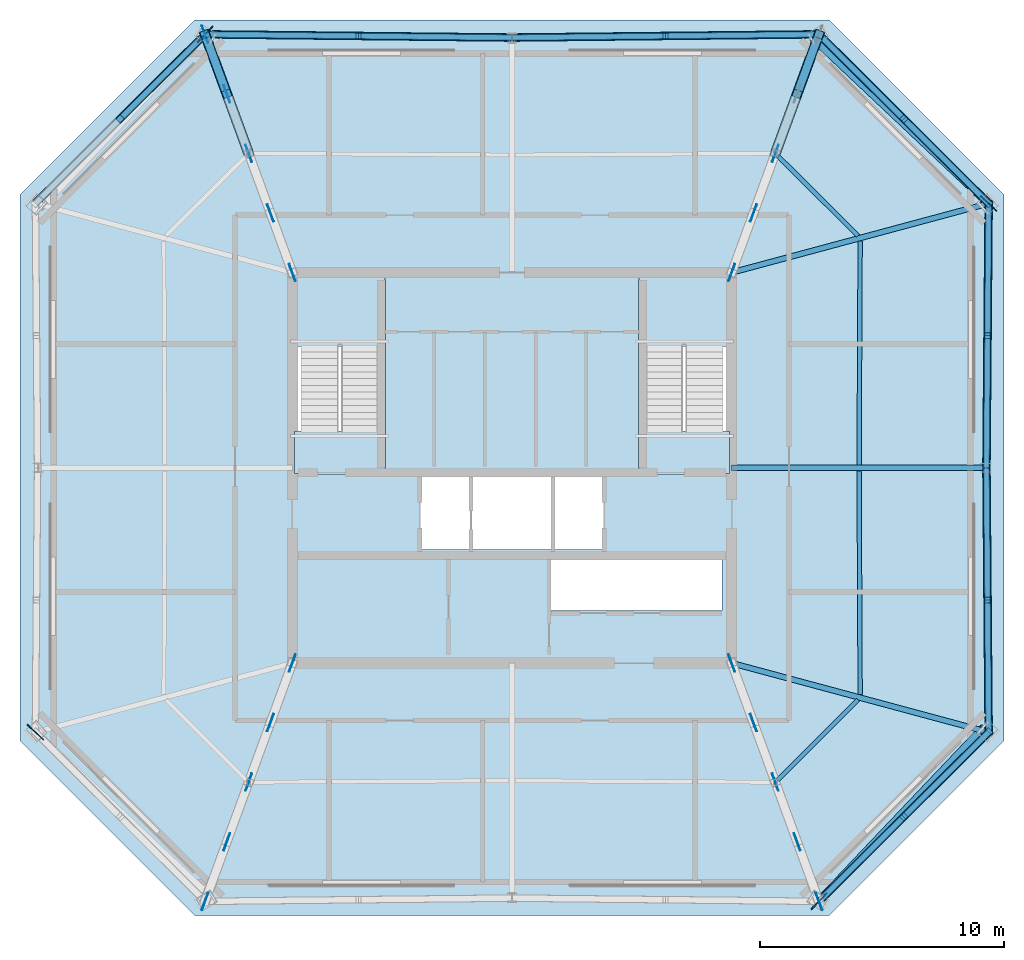
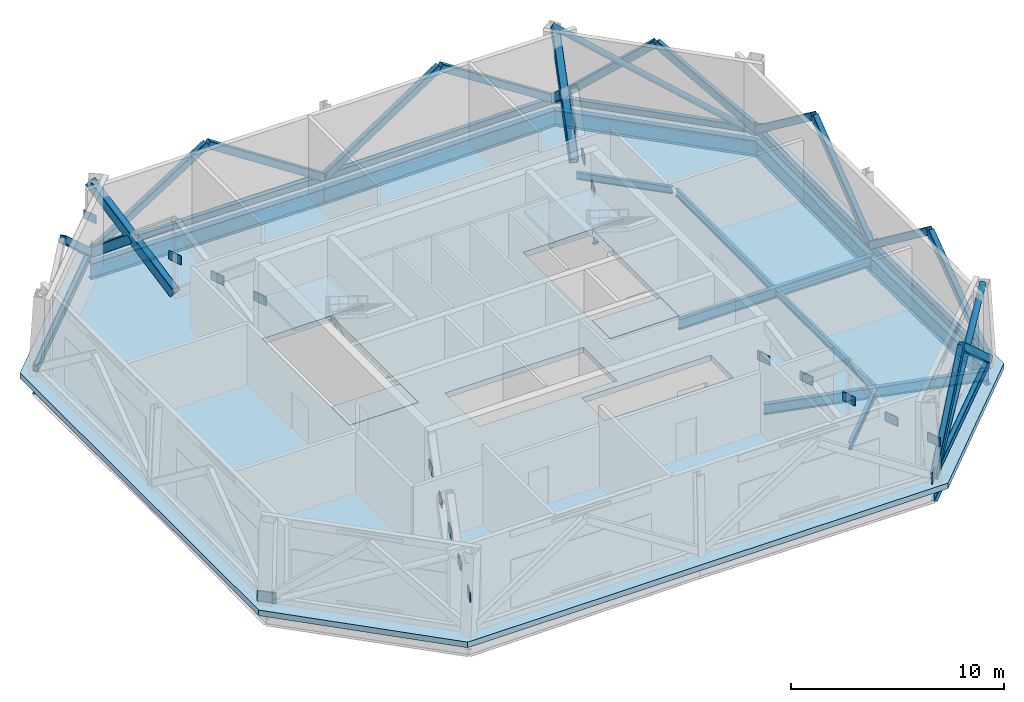
# One storey, part 6 of 10: 26 members, 22 plates, 14 beams, 5 slabs, 2 elements without a shape of their own.
"""IFC4 building model written with IfcOpenShell, lengths in metres."""

from ifc_helpers import new_model, si_unit, direction, frame, origin, origin_2d, place, context, subcontext, project, spatial, polyline, rectangle, hollow_rectangle, hollow_circle, i_section, outline, extrude, material, layer, layer_set, material_profile, profile_set, type_object, element, aggregate, save


model = new_model("IFC4")

# Units and contexts
model_context = context("Model", 3, precision=1e-05, world=origin(), true_north=direction((0.0, 1.0)))
body_context = subcontext(model_context, "Body", "Model", "MODEL_VIEW")
ifc_project = project(units=[si_unit("LENGTHUNIT", "METRE"), si_unit("AREAUNIT", "SQUARE_METRE"), si_unit("VOLUMEUNIT", "CUBIC_METRE"), si_unit("PLANEANGLEUNIT", "RADIAN"), si_unit("MASSUNIT", "GRAM", prefix="KILO")], contexts=[model_context])

# Site, building, storey
site_placement = place(None, origin())
site = spatial("IfcSite", under=ifc_project, at=site_placement, CompositionType="ELEMENT")
building_placement = place(site_placement, origin())
building = spatial("IfcBuilding", under=site, at=building_placement, Name="Caelvoria Tower", CompositionType="ELEMENT")
storey_placement = place(building_placement, frame((0.0, 0.0, 234.60009765625)))
storey = spatial("IfcBuildingStorey", under=building, at=storey_placement, Name="L62", CompositionType="ELEMENT", Elevation=234.60009765625)

# Members
ifc_material_1 = material(Name="Structural Steel ASTM A572 Gr.50", Category="steel")
ifc_material_profile_1 = material_profile(ifc_material_1, hollow_rectangle(XDim=0.25, YDim=0.35009765625, WallThickness=0.013916015625, InnerFilletRadius=0.013916015625, OuterFilletRadius=0.028076171875, at=origin_2d()), Name="Structural Steel ASTM A572 Gr.50")
ifc_profile_set_1 = profile_set([ifc_material_profile_1], Name="HSS350X250X14 - Structural Steel ASTM A572 Gr.50")
member_type_1 = type_object("IfcMemberType", Name="Belt Truss Chord Member HSS350X250X14", PredefinedType="CHORD", material=ifc_profile_set_1)
member_1_placement = place(storey_placement, frame((58.57470703125, 14.2421875, 0.25), z_axis=(0.708374685159, 0.705836599664, 0.0), x_axis=(-0.705836599664, 0.708374685159, 0.0)))
element("IfcMember", 1, at=member_1_placement, inside=storey, type_object=member_type_1, Name="Belt Truss Bottom Chord L62-02", PredefinedType="CHORD", context=body_context, shape_type="SweptSolid", body=[
    extrude(hollow_rectangle(XDim=0.25, YDim=0.35009765625, WallThickness=0.013916015625, InnerFilletRadius=0.013916015625, OuterFilletRadius=0.028076171875, at=origin_2d()), origin(), (0.0, 0.0, 1.0), 9.8115234375),
])
for number, where, z_axis, x_axis, name in (
    (2, (65.52490234375, 21.16748046875, 0.25), (-0.008338677847, 0.999965232621, 0.0), (-0.999965232621, -0.008338677847, 0.0), "Belt Truss Bottom Chord L62-03"),
    (3, (65.4345703125, 32.0, 0.25), (0.008338677847, 0.999965232621, 0.0), (-0.999965232621, 0.008338677847, 0.0), "Belt Truss Bottom Chord L62-04"),
):
    element("IfcMember", number, at=place(storey_placement, frame(where, z_axis=z_axis, x_axis=x_axis)), inside=storey, type_object=member_type_1, Name=name, PredefinedType="CHORD", context=body_context, shape_type="SweptSolid", body=[
        extrude(hollow_rectangle(XDim=0.25, YDim=0.35009765625, WallThickness=0.013916015625, InnerFilletRadius=0.013916015625, OuterFilletRadius=0.028076171875, at=origin_2d()), origin(), (0.0, 0.0, 1.0), 10.8330078125),
    ])
member_2_placement = place(storey_placement, frame((65.52490234375, 42.83251953125, 0.25), z_axis=(-0.708374685159, 0.705836599664, 0.0), x_axis=(-0.705836599664, -0.708374685159, 0.0)))
element("IfcMember", 4, at=member_2_placement, inside=storey, type_object=member_type_1, Name="Belt Truss Bottom Chord L62-05", PredefinedType="CHORD", context=body_context, shape_type="SweptSolid", body=[
    extrude(hollow_rectangle(XDim=0.25, YDim=0.35009765625, WallThickness=0.013916015625, InnerFilletRadius=0.013916015625, OuterFilletRadius=0.028076171875, at=origin_2d()), origin(), (0.0, 0.0, 1.0), 9.8115234375),
])
for number, where, z_axis, x_axis, name in (
    (5, (58.57470703125, 49.7578125, 0.25), (-0.999944637351, -0.010522463275, 0.0), (0.010522463275, -0.999944637351, 0.0), "Belt Truss Bottom Chord L62-06"),
    (6, (46.0, 49.62548828125, 0.25), (-0.999944637351, 0.010522463275, 0.0), (-0.010522463275, -0.999944637351, 0.0), "Belt Truss Bottom Chord L62-07"),
):
    element("IfcMember", number, at=place(storey_placement, frame(where, z_axis=z_axis, x_axis=x_axis)), inside=storey, type_object=member_type_1, Name=name, PredefinedType="CHORD", context=body_context, shape_type="SweptSolid", body=[
        extrude(hollow_rectangle(XDim=0.25, YDim=0.35009765625, WallThickness=0.013916015625, InnerFilletRadius=0.013916015625, OuterFilletRadius=0.028076171875, at=origin_2d()), origin(), (0.0, 0.0, 1.0), 12.575439453125),
    ])
member_3_placement = place(storey_placement, frame((33.42529296875, 49.7578125, 0.25), z_axis=(-0.708374685159, -0.705836599664, 0.0), x_axis=(0.705836599664, -0.708374685159, 0.0)))
element("IfcMember", 7, at=member_3_placement, inside=storey, type_object=member_type_1, Name="Belt Truss Bottom Chord L62-08", PredefinedType="CHORD", context=body_context, shape_type="SweptSolid", body=[
    extrude(hollow_rectangle(XDim=0.25, YDim=0.35009765625, WallThickness=0.013916015625, InnerFilletRadius=0.013916015625, OuterFilletRadius=0.028076171875, at=origin_2d()), origin(), (0.0, 0.0, 1.0), 9.8115234375),
])
ifc_material_profile_2 = material_profile(ifc_material_1, hollow_rectangle(XDim=0.300048828125, YDim=0.39990234375, WallThickness=0.01611328125, InnerFilletRadius=0.01611328125, OuterFilletRadius=0.031982421875, at=origin_2d()), Name="Structural Steel ASTM A572 Gr.50")
ifc_profile_set_2 = profile_set([ifc_material_profile_2], Name="HSS400X300X16 - Structural Steel ASTM A572 Gr.50")
member_type_2 = type_object("IfcMemberType", Name="Belt Truss Diagonal HSS400X300X16", PredefinedType="BRACE", material=ifc_profile_set_2)
for number, where, z_axis, x_axis, name in (
    (8, (58.57470703125, 14.2421875, 0.25), (0.544906737548, 0.542954352862, 0.638965740931), (-0.705836599664, 0.708374685159, 0.0), "Belt Truss Diagonal L62-02A"),
    (9, (62.0498046875, 17.704833984375, 4.324951171875), (0.544906737548, 0.542954352862, -0.638965740931), (-0.705836599664, 0.708374685159, 0.0), "Belt Truss Diagonal L62-02B"),
):
    element("IfcMember", number, at=place(storey_placement, frame(where, z_axis=z_axis, x_axis=x_axis)), inside=storey, type_object=member_type_2, Name=name, PredefinedType="BRACE", context=body_context, shape_type="SweptSolid", body=[
        extrude(hollow_rectangle(XDim=0.300048828125, YDim=0.39990234375, WallThickness=0.01611328125, InnerFilletRadius=0.01611328125, OuterFilletRadius=0.031982421875, at=origin_2d()), origin(), (0.0, 0.0, 1.0), 6.37744140625),
    ])
for number, where, z_axis, x_axis, name in (
    (10, (65.52490234375, 21.16748046875, 0.25), (-0.006663485519, 0.799077979726, 0.601190469218), (-0.999965232621, -0.008338677847, 0.0), "Belt Truss Diagonal L62-03A"),
    (11, (65.479736328125, 26.583740234375, 4.324951171875), (-0.006663485519, 0.799077979726, -0.601190469218), (-0.999965232621, -0.008338677847, 0.0), "Belt Truss Diagonal L62-03B"),
    (12, (65.4345703125, 32.0, 0.25), (0.006663485519, 0.799077979726, 0.601190469218), (-0.999965232621, 0.008338677847, 0.0), "Belt Truss Diagonal L62-04A"),
    (13, (65.479736328125, 37.416259765625, 4.324951171875), (0.006663485519, 0.799077979726, -0.601190469218), (-0.999965232621, 0.008338677847, 0.0), "Belt Truss Diagonal L62-04B"),
):
    element("IfcMember", number, at=place(storey_placement, frame(where, z_axis=z_axis, x_axis=x_axis)), inside=storey, type_object=member_type_2, Name=name, PredefinedType="BRACE", context=body_context, shape_type="SweptSolid", body=[
        extrude(hollow_rectangle(XDim=0.300048828125, YDim=0.39990234375, WallThickness=0.01611328125, InnerFilletRadius=0.01611328125, OuterFilletRadius=0.031982421875, at=origin_2d()), origin(), (0.0, 0.0, 1.0), 6.778076171875),
    ])
for number, where, z_axis, x_axis, name in (
    (14, (65.52490234375, 42.83251953125, 0.25), (-0.544906737548, 0.542954352862, 0.638965740931), (-0.705836599664, -0.708374685159, 0.0), "Belt Truss Diagonal L62-05A"),
    (15, (62.0498046875, 46.295166015625, 4.324951171875), (-0.544906737548, 0.542954352862, -0.638965740931), (-0.705836599664, -0.708374685159, 0.0), "Belt Truss Diagonal L62-05B"),
):
    element("IfcMember", number, at=place(storey_placement, frame(where, z_axis=z_axis, x_axis=x_axis)), inside=storey, type_object=member_type_2, Name=name, PredefinedType="BRACE", context=body_context, shape_type="SweptSolid", body=[
        extrude(hollow_rectangle(XDim=0.300048828125, YDim=0.39990234375, WallThickness=0.01611328125, InnerFilletRadius=0.01611328125, OuterFilletRadius=0.031982421875, at=origin_2d()), origin(), (0.0, 0.0, 1.0), 6.37744140625),
    ])
for number, where, z_axis, x_axis, name in (
    (16, (58.57470703125, 49.7578125, 0.25), (-0.83913156162, -0.008830219904, 0.543856828136), (0.010522463275, -0.999944637351, 0.0), "Belt Truss Diagonal L62-06A"),
    (17, (52.287353515625, 49.691650390625, 4.324951171875), (-0.83913156162, -0.008830219904, -0.543856828136), (0.010522463275, -0.999944637351, 0.0), "Belt Truss Diagonal L62-06B"),
    (18, (46.0, 49.62548828125, 0.25), (-0.83913156162, 0.008830219904, 0.543856828136), (-0.010522463275, -0.999944637351, 0.0), "Belt Truss Diagonal L62-07A"),
    (19, (39.712646484375, 49.691650390625, 4.324951171875), (-0.83913156162, 0.008830219904, -0.543856828136), (-0.010522463275, -0.999944637351, 0.0), "Belt Truss Diagonal L62-07B"),
):
    element("IfcMember", number, at=place(storey_placement, frame(where, z_axis=z_axis, x_axis=x_axis)), inside=storey, type_object=member_type_2, Name=name, PredefinedType="BRACE", context=body_context, shape_type="SweptSolid", body=[
        extrude(hollow_rectangle(XDim=0.300048828125, YDim=0.39990234375, WallThickness=0.01611328125, InnerFilletRadius=0.01611328125, OuterFilletRadius=0.031982421875, at=origin_2d()), origin(), (0.0, 0.0, 1.0), 7.49267578125),
    ])
member_4_placement = place(storey_placement, frame((33.42529296875, 49.7578125, 0.25), z_axis=(-0.544906737548, -0.542954352862, 0.638965740931), x_axis=(0.705836599664, -0.708374685159, 0.0)))
element("IfcMember", 20, at=member_4_placement, inside=storey, type_object=member_type_2, Name="Belt Truss Diagonal L62-08A", PredefinedType="BRACE", context=body_context, shape_type="SweptSolid", body=[
    extrude(hollow_rectangle(XDim=0.300048828125, YDim=0.39990234375, WallThickness=0.01611328125, InnerFilletRadius=0.01611328125, OuterFilletRadius=0.031982421875, at=origin_2d()), origin(), (0.0, 0.0, 1.0), 6.37744140625),
])
ifc_material_profile_3 = material_profile(ifc_material_1, hollow_rectangle(XDim=0.39990234375, YDim=0.5, WallThickness=0.02197265625, InnerFilletRadius=0.02197265625, OuterFilletRadius=0.0439453125, at=origin_2d()), Name="Structural Steel ASTM A572 Gr.50")
ifc_profile_set_3 = profile_set([ifc_material_profile_3], Name="HSS500X400X22 - Structural Steel ASTM A572 Gr.50")
member_type_3 = type_object("IfcMemberType", Name="Outrigger Diagonal HSS500X400X22", PredefinedType="BRACE", material=ifc_profile_set_3)
member_5_placement = place(storey_placement, frame((56.787353515625, 44.87890625, 0.25), z_axis=(0.270675754431, 0.738858663645, 0.617108184292), x_axis=(-0.93897448414, 0.343986799359, 0.0)))
element("IfcMember", 21, at=member_5_placement, inside=storey, type_object=member_type_3, Name="Outrigger Truss Diagonal L62-NE-2A", PredefinedType="BRACE", context=body_context, shape_type="SweptSolid", body=[
    extrude(hollow_rectangle(XDim=0.39990234375, YDim=0.5, WallThickness=0.02197265625, InnerFilletRadius=0.02197265625, OuterFilletRadius=0.0439453125, at=origin_2d()), origin(), (0.0, 0.0, 1.0), 6.603271484375),
])
member_6_placement = place(storey_placement, frame((57.68115234375, 47.318359375, 2.287353515625), z_axis=(0.270647665326, 0.738882915831, -0.617091466434), x_axis=(-0.938989659808, 0.343945371787, 0.0)))
element("IfcMember", 22, at=member_6_placement, inside=storey, type_object=member_type_3, Name="Outrigger Truss Diagonal L62-NE-2B2", PredefinedType="BRACE", context=body_context, shape_type="SweptSolid", body=[
    extrude(hollow_rectangle(XDim=0.39990234375, YDim=0.5, WallThickness=0.02197265625, InnerFilletRadius=0.02197265625, OuterFilletRadius=0.0439453125, at=origin_2d()), origin(), (0.0, 0.0, 1.0), 3.301513671875),
])
member_7_placement = place(storey_placement, frame((35.212646484375, 44.87890625, 0.25), z_axis=(-0.270675754431, 0.738858663645, 0.617108184292), x_axis=(-0.93897448414, -0.343986799359, 0.0)))
element("IfcMember", 23, at=member_7_placement, inside=storey, type_object=member_type_3, Name="Outrigger Truss Diagonal L62-NW-2A", PredefinedType="BRACE", context=body_context, shape_type="SweptSolid", body=[
    extrude(hollow_rectangle(XDim=0.39990234375, YDim=0.5, WallThickness=0.02197265625, InnerFilletRadius=0.02197265625, OuterFilletRadius=0.0439453125, at=origin_2d()), origin(), (0.0, 0.0, 1.0), 6.603271484375),
])
member_8_placement = place(storey_placement, frame((34.31884765625, 47.318359375, 2.287353515625), z_axis=(-0.270647665326, 0.738882915831, -0.617091466434), x_axis=(-0.938989659808, -0.343945371787, 0.0)))
element("IfcMember", 24, at=member_8_placement, inside=storey, type_object=member_type_3, Name="Outrigger Truss Diagonal L62-NW-2B2", PredefinedType="BRACE", context=body_context, shape_type="SweptSolid", body=[
    extrude(hollow_rectangle(XDim=0.39990234375, YDim=0.5, WallThickness=0.02197265625, InnerFilletRadius=0.02197265625, OuterFilletRadius=0.0439453125, at=origin_2d()), origin(), (0.0, 0.0, 1.0), 3.301513671875),
])

# Beams
ifc_material_2 = material(Name="Structural Steel ASTM A992 Gr.50", Category="steel")
ifc_material_profile_4 = material_profile(ifc_material_2, i_section(OverallWidth=0.30810546875, OverallDepth=0.927001953125, WebThickness=0.019287109375, FlangeThickness=0.031982421875, FilletRadius=0.02392578125, at=origin_2d()), Name="Structural Steel ASTM A992 Gr.50")
ifc_profile_set_4 = profile_set([ifc_material_profile_4], Name="W920X289 - Structural Steel ASTM A992 Gr.50")
beam_type_1 = type_object("IfcBeamType", Name="Outrigger Tie Girder W920X289", PredefinedType="BEAM", material=ifc_profile_set_4)
beam_1_placement = place(storey_placement, frame((58.57470703125, 14.2421875, -0.78369140625), z_axis=(0.708374685159, 0.705836599664, 0.0), x_axis=(-0.705836599664, 0.708374685159, 0.0)))
element("IfcBeam", 25, at=beam_1_placement, inside=storey, type_object=beam_type_1, Name="Perimeter Spandrel Girder L62-02", PredefinedType="BEAM", context=body_context, shape_type="SweptSolid", body=[
    extrude(i_section(OverallWidth=0.30810546875, OverallDepth=0.927001953125, WebThickness=0.019287109375, FlangeThickness=0.031982421875, FilletRadius=0.02392578125, at=origin_2d()), origin(), (0.0, 0.0, 1.0), 9.8115234375),
])
for number, where, z_axis, x_axis, name in (
    (26, (65.52490234375, 21.16748046875, -0.78369140625), (-0.008338677847, 0.999965232621, 0.0), (-0.999965232621, -0.008338677847, 0.0), "Perimeter Spandrel Girder L62-03"),
    (27, (65.4345703125, 32.0, -0.78369140625), (0.008338677847, 0.999965232621, 0.0), (-0.999965232621, 0.008338677847, 0.0), "Perimeter Spandrel Girder L62-04"),
):
    element("IfcBeam", number, at=place(storey_placement, frame(where, z_axis=z_axis, x_axis=x_axis)), inside=storey, type_object=beam_type_1, Name=name, PredefinedType="BEAM", context=body_context, shape_type="SweptSolid", body=[
        extrude(i_section(OverallWidth=0.30810546875, OverallDepth=0.927001953125, WebThickness=0.019287109375, FlangeThickness=0.031982421875, FilletRadius=0.02392578125, at=origin_2d()), origin(), (0.0, 0.0, 1.0), 10.8330078125),
    ])
beam_2_placement = place(storey_placement, frame((65.52490234375, 42.83251953125, -0.78369140625), z_axis=(-0.708374685159, 0.705836599664, 0.0), x_axis=(-0.705836599664, -0.708374685159, 0.0)))
element("IfcBeam", 28, at=beam_2_placement, inside=storey, type_object=beam_type_1, Name="Perimeter Spandrel Girder L62-05", PredefinedType="BEAM", context=body_context, shape_type="SweptSolid", body=[
    extrude(i_section(OverallWidth=0.30810546875, OverallDepth=0.927001953125, WebThickness=0.019287109375, FlangeThickness=0.031982421875, FilletRadius=0.02392578125, at=origin_2d()), origin(), (0.0, 0.0, 1.0), 9.8115234375),
])
for number, where, z_axis, x_axis, name in (
    (29, (58.57470703125, 49.7578125, -0.78369140625), (-0.999944637351, -0.010522463275, 0.0), (0.010522463275, -0.999944637351, 0.0), "Perimeter Spandrel Girder L62-06"),
    (30, (46.0, 49.62548828125, -0.78369140625), (-0.999944637351, 0.010522463275, 0.0), (-0.010522463275, -0.999944637351, 0.0), "Perimeter Spandrel Girder L62-07"),
):
    element("IfcBeam", number, at=place(storey_placement, frame(where, z_axis=z_axis, x_axis=x_axis)), inside=storey, type_object=beam_type_1, Name=name, PredefinedType="BEAM", context=body_context, shape_type="SweptSolid", body=[
        extrude(i_section(OverallWidth=0.30810546875, OverallDepth=0.927001953125, WebThickness=0.019287109375, FlangeThickness=0.031982421875, FilletRadius=0.02392578125, at=origin_2d()), origin(), (0.0, 0.0, 1.0), 12.575439453125),
    ])
beam_3_placement = place(storey_placement, frame((33.42529296875, 49.7578125, -0.78369140625), z_axis=(-0.708374685159, -0.705836599664, 0.0), x_axis=(0.705836599664, -0.708374685159, 0.0)))
element("IfcBeam", 31, at=beam_3_placement, inside=storey, type_object=beam_type_1, Name="Perimeter Spandrel Girder L62-08", PredefinedType="BEAM", context=body_context, shape_type="SweptSolid", body=[
    extrude(i_section(OverallWidth=0.30810546875, OverallDepth=0.927001953125, WebThickness=0.019287109375, FlangeThickness=0.031982421875, FilletRadius=0.02392578125, at=origin_2d()), origin(), (0.0, 0.0, 1.0), 9.8115234375),
])
ifc_material_profile_5 = material_profile(ifc_material_2, i_section(OverallWidth=0.22802734375, OverallDepth=0.60302734375, WebThickness=0.010498046875, FlangeThickness=0.014892578125, FilletRadius=0.01806640625, at=origin_2d()), Name="Structural Steel ASTM A992 Gr.50")
ifc_profile_set_5 = profile_set([ifc_material_profile_5], Name="W610X101 - Structural Steel ASTM A992 Gr.50")
beam_type_2 = type_object("IfcBeamType", Name="Primary Floor Girder W610X101", PredefinedType="BEAM", material=ifc_profile_set_5)
beam_4_placement = place(storey_placement, frame((55.0, 24.0, -0.62158203125), z_axis=(0.965641273819, -0.259878683805, 0.0), x_axis=(0.259878683805, 0.965641273819, 0.0)))
element("IfcBeam", 32, at=beam_4_placement, inside=storey, type_object=beam_type_2, Name="Primary Floor Girder L62-03", PredefinedType="BEAM", context=body_context, shape_type="SweptSolid", body=[
    extrude(i_section(OverallWidth=0.22802734375, OverallDepth=0.60302734375, WebThickness=0.010498046875, FlangeThickness=0.014892578125, FilletRadius=0.01806640625, at=origin_2d()), origin(), (0.0, 0.0, 1.0), 10.8994140625),
])
beam_5_placement = place(storey_placement, frame((55.0, 32.0, -0.62158203125), z_axis=(1.0, 0.0, 0.0), x_axis=(0.0, 1.0, 0.0)))
element("IfcBeam", 33, at=beam_5_placement, inside=storey, type_object=beam_type_2, Name="Primary Floor Girder L62-04", PredefinedType="BEAM", context=body_context, shape_type="SweptSolid", body=[
    extrude(i_section(OverallWidth=0.22802734375, OverallDepth=0.60302734375, WebThickness=0.010498046875, FlangeThickness=0.014892578125, FilletRadius=0.01806640625, at=origin_2d()), origin(), (0.0, 0.0, 1.0), 10.4345703125),
])
beam_6_placement = place(storey_placement, frame((55.0, 40.0, -0.62158203125), z_axis=(0.965641273819, 0.259878683805, 0.0), x_axis=(-0.259878683805, 0.965641273819, 0.0)))
element("IfcBeam", 34, at=beam_6_placement, inside=storey, type_object=beam_type_2, Name="Primary Floor Girder L62-05", PredefinedType="BEAM", context=body_context, shape_type="SweptSolid", body=[
    extrude(i_section(OverallWidth=0.22802734375, OverallDepth=0.60302734375, WebThickness=0.010498046875, FlangeThickness=0.014892578125, FilletRadius=0.01806640625, at=origin_2d()), origin(), (0.0, 0.0, 1.0), 10.8994140625),
])
ifc_material_profile_6 = material_profile(ifc_material_2, i_section(OverallWidth=0.177978515625, OverallDepth=0.406982421875, WebThickness=0.0078125, FlangeThickness=0.0126953125, FilletRadius=0.013916015625, at=origin_2d()), Name="Structural Steel ASTM A992 Gr.50")
ifc_profile_set_6 = profile_set([ifc_material_profile_6], Name="W410X60 - Structural Steel ASTM A992 Gr.50")
beam_type_3 = type_object("IfcBeamType", Name="Secondary Floor Beam W410X60", PredefinedType="BEAM", material=ifc_profile_set_6)
beam_7_placement = place(storey_placement, frame((56.8759765625, 19.209228515625, -0.523681640625), z_axis=(0.708364136335, 0.705847186262, 0.0), x_axis=(-0.705847186262, 0.708364136335, 0.0)))
element("IfcBeam", 35, at=beam_7_placement, inside=storey, type_object=beam_type_3, Name="Secondary Floor Beam L62-02", PredefinedType="BEAM", context=body_context, shape_type="SweptSolid", body=[
    extrude(i_section(OverallWidth=0.177978515625, OverallDepth=0.406982421875, WebThickness=0.0078125, FlangeThickness=0.0126953125, FilletRadius=0.013916015625, at=origin_2d()), origin(), (0.0, 0.0, 1.0), 4.656005859375),
])
for number, where, z_axis, x_axis, name in (
    (36, (60.261962890625, 22.708740234375, -0.523681640625), (-0.004820825589, 0.999988379753, 0.0), (-0.999988379753, -0.004820825589, 0.0), "Secondary Floor Beam L62-03"),
    (37, (60.2177734375, 32.125, -0.523681640625), (0.004820825589, 0.999988379753, 0.0), (-0.999988379753, 0.004820825589, 0.0), "Secondary Floor Beam L62-04"),
):
    element("IfcBeam", number, at=place(storey_placement, frame(where, z_axis=z_axis, x_axis=x_axis)), inside=storey, type_object=beam_type_3, Name=name, PredefinedType="BEAM", context=body_context, shape_type="SweptSolid", body=[
        extrude(i_section(OverallWidth=0.177978515625, OverallDepth=0.406982421875, WebThickness=0.0078125, FlangeThickness=0.0126953125, FilletRadius=0.013916015625, at=origin_2d()), origin(), (0.0, 0.0, 1.0), 9.166259765625),
    ])
beam_8_placement = place(storey_placement, frame((60.174072265625, 41.50439453125, -0.523681640625), z_axis=(-0.708364136335, 0.705847186262, 0.0), x_axis=(-0.705847186262, -0.708364136335, 0.0)))
element("IfcBeam", 38, at=beam_8_placement, inside=storey, type_object=beam_type_3, Name="Secondary Floor Beam L62-05", PredefinedType="BEAM", context=body_context, shape_type="SweptSolid", body=[
    extrude(i_section(OverallWidth=0.177978515625, OverallDepth=0.406982421875, WebThickness=0.0078125, FlangeThickness=0.0126953125, FilletRadius=0.013916015625, at=origin_2d()), origin(), (0.0, 0.0, 1.0), 4.656005859375),
])

# Members
ifc_material_profile_7 = material_profile(ifc_material_1, hollow_circle(Radius=0.162109375, WallThickness=0.0126953125, at=origin_2d()), Name="Structural Steel ASTM A572 Gr.50")
ifc_profile_set_7 = profile_set([ifc_material_profile_7], Name="CHS324X12.7 - Structural Steel ASTM A572 Gr.50")
member_type_4 = type_object("IfcMemberType", Name="Summit Perimeter Mega Brace CHS324X12.7", PredefinedType="BRACE", material=ifc_profile_set_7)
member_9_placement = place(storey_placement, frame((58.57470703125, 14.2421875, 0.0), z_axis=(0.623800564889, 0.657150310947, 0.42311502463), x_axis=(-0.72527064804, 0.688463860411, 0.0)))
element("IfcMember", 39, at=member_9_placement, inside=storey, type_object=member_type_4, Name="Perimeter Chamfer Mega Brace L62 SE", PredefinedType="BRACE", context=body_context, shape_type="SweptSolid", body=[
    extrude(hollow_circle(Radius=0.162109375, WallThickness=0.0126953125, at=origin_2d()), origin(), (0.0, 0.0, 1.0), 10.8125),
])
member_10_placement = place(storey_placement, frame((65.52490234375, 42.83251953125, 0.0), z_axis=(-0.660209190252, 0.622536768554, 0.420204470353), x_axis=(-0.686044264849, -0.727559802812, 0.0)))
element("IfcMember", 40, at=member_10_placement, inside=storey, type_object=member_type_4, Name="Perimeter Chamfer Mega Brace L62 NE", PredefinedType="BRACE", context=body_context, shape_type="SweptSolid", body=[
    extrude(hollow_circle(Radius=0.162109375, WallThickness=0.0126953125, at=origin_2d()), origin(), (0.0, 0.0, 1.0), 10.887451171875),
])

# Plates
ifc_layer_1 = layer(ifc_material_1, 0.0400390625, Name="Structural Steel ASTM A572 Gr.50")
ifc_layer_set_1 = layer_set([ifc_layer_1], Name="Megaframe Node Gusset Plate 900x600x40 - Structural Steel ASTM A572 Gr.50")
plate_type_1 = type_object("IfcPlateType", Name="Megaframe Node Gusset Plate 900x600x40", PredefinedType="USERDEFINED", material=ifc_layer_set_1)
for number, where, z_axis, x_axis, name in (
    (41, (58.57470703125, 14.2421875, 0.019775390625), (0.0, 0.0, 1.0), (0.688453318649, 0.725280654672, 0.0), "Chamfer Mega Brace Gusset L62 SE"),
    (42, (65.52490234375, 42.83251953125, 0.019775390625), (0.0, 0.0, 1.0), (-0.727566844508, 0.686036796952, 0.0), "Chamfer Mega Brace Gusset L62 NE"),
    (43, (33.42529296875, 49.7578125, 0.019775390625), (0.0, 0.0, 1.0), (-0.688453318649, -0.725280654672, 0.0), "Chamfer Mega Brace Gusset L62 NW"),
    (44, (26.47509765625, 21.16748046875, 0.019775390625), (0.0, 0.0, 1.0), (0.727566844508, -0.686036796952, 0.0), "Chamfer Mega Brace Gusset L62 SW"),
):
    element("IfcPlate", number, at=place(storey_placement, frame(where, z_axis=z_axis, x_axis=x_axis)), inside=storey, type_object=plate_type_1, Name=name, ObjectType="GUSSET_PLATE", PredefinedType="USERDEFINED", context=body_context, shape_type="SweptSolid", body=[
        extrude(rectangle(XDim=0.89990234375, YDim=0.0400390625, at=origin_2d()), origin(), (0.0, 0.0, 1.0), 0.60009765625),
    ])
ifc_layer_2 = layer(ifc_material_1, 0.035888671875, Name="Structural Steel ASTM A572 Gr.50")
ifc_layer_set_2 = layer_set([ifc_layer_2], Name="Outrigger Node Gusset Plate 750x500x36 - Structural Steel ASTM A572 Gr.50")
plate_type_2 = type_object("IfcPlateType", Name="Outrigger Node Gusset Plate 750x500x36", PredefinedType="USERDEFINED", material=ifc_layer_set_2)
for number, where, z_axis, x_axis, name in (
    (45, (33.42529296875, 14.2421875, 2.037353515625), (0.0, 0.0, 1.0), (-0.343992395829, -0.938972433894, 0.0), "Outrigger Gusset Plate END L62-SW"),
    (46, (37.0, 24.0, 2.037353515625), (0.0, 0.0, 1.0), (-0.343992395829, -0.938972433894, 0.0), "Outrigger Gusset Plate CORE L62-SW"),
    (47, (35.212646484375, 19.12109375, 2.037353515625), (0.0, 0.0, 1.0), (-0.343992395829, -0.938972433894, 0.0), "Outrigger Gusset Plate MID L62-SW"),
    (48, (36.106201171875, 21.560546875, 2.037353515625), (0.0, 0.0, 1.0), (-0.343992395829, -0.938972433894, 0.0), "Outrigger Gusset Plate X1 L62-SW"),
    (49, (34.31884765625, 16.681640625, 2.037353515625), (0.0, 0.0, 1.0), (-0.343992395829, -0.938972433894, 0.0), "Outrigger Gusset Plate X2 L62-SW"),
    (50, (58.57470703125, 14.2421875, 2.037353515625), (0.0, 0.0, 1.0), (0.343992395829, -0.938972433894, 0.0), "Outrigger Gusset Plate END L62-SE"),
    (51, (55.0, 24.0, 2.037353515625), (0.0, 0.0, 1.0), (0.343992395829, -0.938972433894, 0.0), "Outrigger Gusset Plate CORE L62-SE"),
    (52, (56.787353515625, 19.12109375, 2.037353515625), (0.0, 0.0, 1.0), (0.343992395829, -0.938972433894, 0.0), "Outrigger Gusset Plate MID L62-SE"),
    (53, (55.893798828125, 21.560546875, 2.037353515625), (0.0, 0.0, 1.0), (0.343992395829, -0.938972433894, 0.0), "Outrigger Gusset Plate X1 L62-SE"),
    (54, (57.68115234375, 16.681640625, 2.037353515625), (0.0, 0.0, 1.0), (0.343992395829, -0.938972433894, 0.0), "Outrigger Gusset Plate X2 L62-SE"),
    (55, (55.0, 40.0, 2.037353515625), (0.0, 0.0, 1.0), (0.343992395829, 0.938972433894, 0.0), "Outrigger Gusset Plate CORE L62-NE"),
    (56, (56.787353515625, 44.87890625, 2.037353515625), (0.0, 0.0, 1.0), (0.343992395829, 0.938972433894, 0.0), "Outrigger Gusset Plate MID L62-NE"),
    (57, (55.893798828125, 42.439453125, 2.037353515625), (0.0, 0.0, 1.0), (0.343992395829, 0.938972433894, 0.0), "Outrigger Gusset Plate X1 L62-NE"),
    (58, (33.42529296875, 49.7578125, 2.037353515625), (0.0, 0.0, 1.0), (-0.343992395829, 0.938972433894, 0.0), "Outrigger Gusset Plate END L62-NW"),
    (59, (37.0, 40.0, 2.037353515625), (0.0, 0.0, 1.0), (-0.343992395829, 0.938972433894, 0.0), "Outrigger Gusset Plate CORE L62-NW"),
    (60, (35.212646484375, 44.87890625, 2.037353515625), (0.0, 0.0, 1.0), (-0.343992395829, 0.938972433894, 0.0), "Outrigger Gusset Plate MID L62-NW"),
    (61, (36.106201171875, 42.439453125, 2.037353515625), (0.0, 0.0, 1.0), (-0.343992395829, 0.938972433894, 0.0), "Outrigger Gusset Plate X1 L62-NW"),
    (62, (34.31884765625, 47.318359375, 2.037353515625), (0.0, 0.0, 1.0), (-0.343992395829, 0.938972433894, 0.0), "Outrigger Gusset Plate X2 L62-NW"),
):
    element("IfcPlate", number, at=place(storey_placement, frame(where, z_axis=z_axis, x_axis=x_axis)), inside=storey, type_object=plate_type_2, Name=name, ObjectType="GUSSET_PLATE", PredefinedType="USERDEFINED", context=body_context, shape_type="SweptSolid", body=[
        extrude(rectangle(XDim=0.75, YDim=0.035888671875, at=origin_2d()), origin(), (0.0, 0.0, 1.0), 0.5),
    ])

# Slab
ifc_material_3 = material(Name="Concrete C50/60", Category="concrete")
ifc_layer_3 = layer(ifc_material_3, 0.320068359375, Name="Concrete C50/60")
ifc_layer_set_3 = layer_set([ifc_layer_3], Name="Plant and Sky Lobby Heavy Slab 320 - Concrete C50/60")
slab_type_1 = type_object("IfcSlabType", Name="Plant and Sky Lobby Heavy Slab 320", PredefinedType="FLOOR", material=ifc_layer_set_3)
slab_1_placement = place(storey_placement, frame((0.0, 0.0, -0.320068359375)))
element("IfcSlab", 63, at=slab_1_placement, inside=storey, type_object=slab_type_1, Name="Level L62 Structural Floor Slab", PredefinedType="FLOOR", context=body_context, shape_type="SweptSolid", body=[
    extrude(outline(polyline([(33.009033203125, 13.654541015625), (58.990966796875, 13.654541015625), (66.154541015625, 20.818115234375), (66.154541015625, 43.181884765625), (58.990966796875, 50.345458984375), (33.009033203125, 50.345458984375), (25.845458984375, 43.181884765625), (25.845458984375, 20.818115234375), (33.009033203125, 13.654541015625)]), holes=[polyline([(37.080078125, 31.75), (40.820068359375, 31.75), (40.820068359375, 39.919921875), (37.080078125, 39.919921875), (37.080078125, 31.75)]), polyline([(51.179931640625, 31.75), (54.919921875, 31.75), (54.919921875, 39.919921875), (51.179931640625, 39.919921875), (51.179931640625, 31.75)]), polyline([(42.25, 28.64990234375), (49.75, 28.64990234375), (49.75, 31.800048828125), (42.25, 31.800048828125), (42.25, 28.64990234375)]), polyline([(47.60009765625, 26.14990234375), (54.60009765625, 26.14990234375), (54.60009765625, 28.25), (47.60009765625, 28.25), (47.60009765625, 26.14990234375)])]), origin(), (0.0, 0.0, 1.0), 0.320068359375),
])

# Stair, slabs
ifc_material_4 = material(Name="Concrete C40/50", Category="concrete")
stair_type = type_object("IfcStairType", Name="Core Smokeproof Dogleg Stair Concrete C40/50", PredefinedType="HALF_TURN_STAIR", material=ifc_material_4)
stair_1_placement = place(storey_placement, origin())
stair_1 = element("IfcStair", 64, at=stair_1_placement, inside=storey, type_object=stair_type, Name="ST-01 Smokeproof Exit Stair L62", PredefinedType="HALF_TURN_STAIR")
ifc_layer_4 = layer(ifc_material_4, 0.199951171875, Name="Concrete C40/50")
ifc_layer_set_4 = layer_set([ifc_layer_4], Name="Stair Half and Floor Landing Slab 200 Concrete C40/50 - Concrete C40/50")
slab_type_2 = type_object("IfcSlabType", Name="Stair Half and Floor Landing Slab 200 Concrete C40/50", PredefinedType="LANDING", material=ifc_layer_set_4)
slab_2_placement = place(storey_placement, frame((0.0, 0.0, -0.2001953125)))
slab_2 = element("IfcSlab", 65, at=slab_2_placement, type_object=slab_type_2, Name="ST-01 landing 1", PredefinedType="LANDING", context=body_context, shape_type="SweptSolid", body=[
    extrude(outline(polyline([(37.10009765625, 31.77001953125), (40.800048828125, 31.77001953125), (40.800048828125, 33.5), (37.10009765625, 33.5), (37.10009765625, 31.77001953125)])), origin(), (0.0, 0.0, 1.0), 0.2001953125),
])
slab_3_placement = place(storey_placement, frame((0.0, 0.0, 2.199951171875)))
slab_3 = element("IfcSlab", 66, at=slab_3_placement, type_object=slab_type_2, Name="ST-01 landing 2", PredefinedType="LANDING", context=body_context, shape_type="SweptSolid", body=[
    extrude(outline(polyline([(37.10009765625, 36.97509765625), (40.800048828125, 36.97509765625), (40.800048828125, 39.89990234375), (37.10009765625, 39.89990234375), (37.10009765625, 36.97509765625)])), origin(), (0.0, 0.0, 1.0), 0.199951171875),
])
aggregate(stair_1, [slab_2, slab_3])

stair_2_placement = place(storey_placement, origin())
stair_2 = element("IfcStair", 67, at=stair_2_placement, inside=storey, type_object=stair_type, Name="ST-02 Smokeproof Exit Stair L62", PredefinedType="HALF_TURN_STAIR")
slab_4_placement = place(storey_placement, frame((0.0, 0.0, -0.2001953125)))
slab_4 = element("IfcSlab", 68, at=slab_4_placement, type_object=slab_type_2, Name="ST-02 landing 1", PredefinedType="LANDING", context=body_context, shape_type="SweptSolid", body=[
    extrude(outline(polyline([(51.199951171875, 31.77001953125), (54.89990234375, 31.77001953125), (54.89990234375, 33.5), (51.199951171875, 33.5), (51.199951171875, 31.77001953125)])), origin(), (0.0, 0.0, 1.0), 0.2001953125),
])
slab_5_placement = place(storey_placement, frame((0.0, 0.0, 2.199951171875)))
slab_5 = element("IfcSlab", 69, at=slab_5_placement, type_object=slab_type_2, Name="ST-02 landing 2", PredefinedType="LANDING", context=body_context, shape_type="SweptSolid", body=[
    extrude(outline(polyline([(51.199951171875, 36.97509765625), (54.89990234375, 36.97509765625), (54.89990234375, 39.89990234375), (51.199951171875, 39.89990234375), (51.199951171875, 36.97509765625)])), origin(), (0.0, 0.0, 1.0), 0.199951171875),
])
aggregate(stair_2, [slab_4, slab_5])

save(model, "model.ifc")
